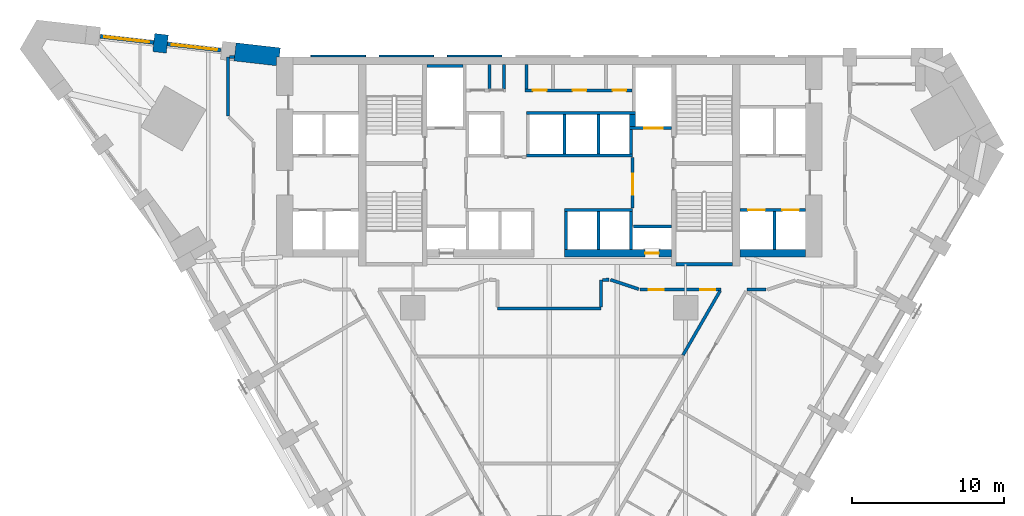
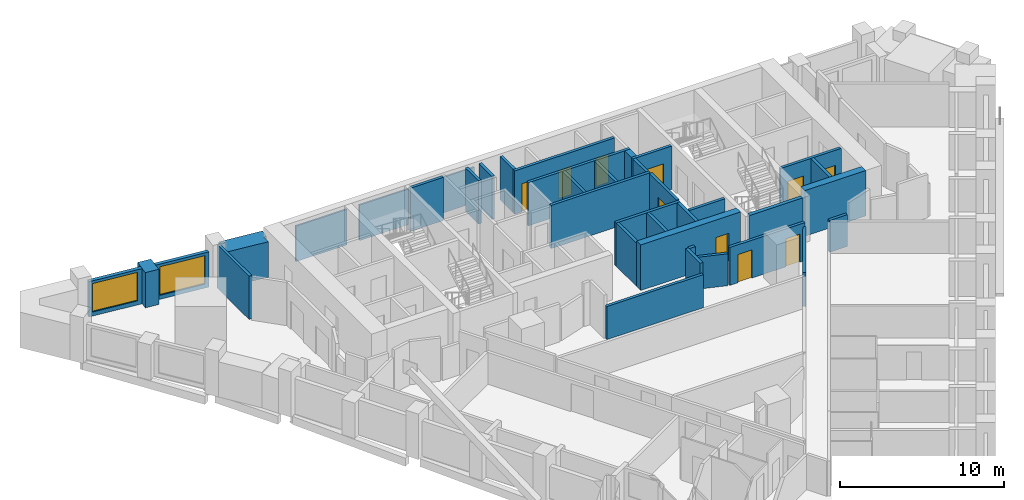
# One storey, part 7 of 10: 39 walls, 10 doors, 2 windows, 12 openings.
"""IFC4 building model written with IfcOpenShell, lengths in metres."""

from ifc_helpers import new_model, si_unit, direction, frame, frame_2d, origin, place, context, subcontext, project, spatial, polyline, rectangle, outline, extrude, material, layer, layer_set, type_object, element, fill, save


model = new_model("IFC4")

# Units and contexts
model_context = context("Model", 3, precision=1e-05, world=origin(), true_north=direction((0.0, 1.0)))
body_context = subcontext(model_context, "Body", "Model", "MODEL_VIEW")
ifc_project = project(units=[si_unit("LENGTHUNIT", "METRE"), si_unit("AREAUNIT", "SQUARE_METRE"), si_unit("VOLUMEUNIT", "CUBIC_METRE"), si_unit("PLANEANGLEUNIT", "RADIAN"), si_unit("MASSUNIT", "GRAM", prefix="KILO")], contexts=[model_context])

# Site, building, storey
site_placement = place(None, origin())
site = spatial("IfcSite", under=ifc_project, at=site_placement, CompositionType="ELEMENT")
building_placement = place(site_placement, origin())
building = spatial("IfcBuilding", under=site, at=building_placement, Name="Calabash Gate Tower", CompositionType="ELEMENT")
storey_placement = place(building_placement, frame((0.0, 0.0, 66.39990234375)))
storey = spatial("IfcBuildingStorey", under=building, at=storey_placement, Name="L12", CompositionType="ELEMENT", Elevation=66.39990234375)

# Walls
ifc_material_1 = material(Name="Terracotta brick masonry, exposed face", Category="masonry")
ifc_layer_1 = layer(ifc_material_1, 1.199951171875)
ifc_layer_set_1 = layer_set([ifc_layer_1], Name="Brick end wall 1200")
wall_type_1 = type_object("IfcWallType", Name="Brick end wall 1200", PredefinedType="SOLIDWALL", material=ifc_layer_set_1)
wall_1_placement = place(storey_placement, frame((-25.712890625, 19.35400390625, 0.0), z_axis=(0.0, 0.0, 1.0), x_axis=(0.113735952551, 0.993511013073, 0.0)))
element("IfcWall", 1, at=wall_1_placement, inside=storey, type_object=wall_type_1, Name="Brick pier S03 wedge5.1", PredefinedType="SOLIDWALL", context=body_context, shape_type="SweptSolid", body=[
    extrude(rectangle(XDim=1.199951171875, YDim=0.89990234375, at=frame_2d((0.60009765625, 0.0))), origin(), (0.0, 0.0, 1.0), 2.630126953125),
])
wall_2_placement = place(storey_placement, origin())
element("IfcWall", 2, at=wall_2_placement, inside=storey, type_object=wall_type_1, Name="Brick end wall S03 1", PredefinedType="SOLIDWALL", context=body_context, shape_type="SweptSolid", body=[
    extrude(outline(polyline([(-20.658447265625, 19.983154296875), (-20.794921875, 18.790771484375), (-18.0, 18.470703125), (-18.0, 19.052490234375), (-17.806640625, 19.052490234375), (-17.738525390625, 19.648681640625), (-20.658447265625, 19.983154296875)])), origin(), (0.0, 0.0, 1.0), 2.650146484375),
])
ifc_material_2 = material(Name="Gypsum board on steel studs, mineral wool", Category="steel")
ifc_layer_2 = layer(ifc_material_2, 0.199951171875)
ifc_layer_set_2 = layer_set([ifc_layer_2], Name="Core partition 200 gypsum board")
wall_type_2 = type_object("IfcWallType", Name="Core partition 200 gypsum board", PredefinedType="PARTITIONING", material=ifc_layer_set_2)
for number, where, z_axis, x_axis, name in (
    (3, (-3.949951171875, 16.95263671875, 0.0), (0.0, 0.0, 1.0), (0.0, 1.0, 0.0), "Core partition"),
    (4, (-3.0, 16.95263671875, 0.0), (0.0, 0.0, 1.0), (0.0, 1.0, 0.0), "Core partition"),
    (5, (-1.5, 16.95263671875, 0.0), (0.0, 0.0, 1.0), (0.0, 1.0, 0.0), "Core partition"),
):
    element("IfcWall", number, at=place(storey_placement, frame(where, z_axis=z_axis, x_axis=x_axis)), inside=storey, type_object=wall_type_2, Name=name, PredefinedType="PARTITIONING", context=body_context, shape_type="SweptSolid", body=[
        extrude(rectangle(XDim=1.599853515625, YDim=0.199951171875, at=frame_2d((0.7998046875, 0.0))), origin(), (0.0, 0.0, 1.0), 3.22998046875),
    ])
ifc_material_3 = material(Name="Concrete C80/95", Category="concrete")
ifc_layer_3 = layer(ifc_material_3, 0.25)
ifc_layer_set_3 = layer_set([ifc_layer_3], Name="Core wall 250 Concrete C80/95")
wall_type_3 = type_object("IfcWallType", Name="Core wall 250 Concrete C80/95", PredefinedType="SHEAR", material=ifc_layer_set_3)
wall_3_placement = place(storey_placement, frame((8.35009765625, 5.377685546875, 0.0), z_axis=(0.0, 0.0, 1.0), x_axis=(1.0, 0.0, 0.0)))
element("IfcWall", 6, at=wall_3_placement, inside=storey, type_object=wall_type_3, Name="Core wall Z1-SSE L12", PredefinedType="SHEAR", context=body_context, shape_type="SweptSolid", body=[
    extrude(rectangle(XDim=3.75, YDim=0.25, at=frame_2d((1.875, 0.0))), origin(), (0.0, 0.0, 1.0), 3.400146484375),
])

# Wall, opening, door
ifc_material_4 = material(Name="Concrete C80/95", Category="concrete")
ifc_layer_4 = layer(ifc_material_4, 0.5)
ifc_layer_set_4 = layer_set([ifc_layer_4], Name="Core wall 500 Concrete C80/95")
wall_type_4 = type_object("IfcWallType", Name="Core wall 500 Concrete C80/95", PredefinedType="SHEAR", material=ifc_layer_set_4)
wall_4_placement = place(storey_placement, frame((1.0, 6.1025390625, 0.0), z_axis=(0.0, 0.0, 1.0), x_axis=(1.0, 0.0, 0.0)))
wall_4 = element("IfcWall", 7, at=wall_4_placement, inside=storey, type_object=wall_type_4, Name="Core wall Z1-SB L12", PredefinedType="SHEAR", context=body_context, shape_type="SweptSolid", body=[
    extrude(rectangle(XDim=7.050048828125, YDim=0.5, at=frame_2d((3.52490234375, 0.0))), origin(), (0.0, 0.0, 1.0), 3.400146484375),
])
opening_1_placement = place(wall_4_placement, frame((5.324951171875, 0.0, 0.0)))
opening_1 = element("IfcOpeningElement", 8, at=opening_1_placement, cuts=wall_4, Name="Opening H3-013", PredefinedType="OPENING", context=body_context, shape_type="SweptSolid", body=[
    extrude(rectangle(XDim=0.89990234375, YDim=2.10009765625, at=frame_2d((0.449951171875, 1.050048828125))), frame((0.0, 0.260009765625, 0.0), z_axis=(0.0, -1.0, 0.0), x_axis=(1.0, 0.0, 0.0)), (0.0, 0.0, 1.0), 0.52001953125),
])
ifc_material_5 = material(Name="Steel fire door set with fire-resisting glazing", Category="steel")
door_type_1 = type_object("IfcDoorType", Name="Fire door D07 900x2100 FD90", OperationType="NOTDEFINED", PredefinedType="DOOR", material=ifc_material_5)
door_1_placement = place(opening_1_placement, origin())
door_1 = element("IfcDoor", 9, at=door_1_placement, inside=storey, type_object=door_type_1, Name="Mechanical Riser E door", OperationType="SINGLE_SWING_RIGHT", OverallHeight=2.10009765625, OverallWidth=0.89990234375, PredefinedType="DOOR", context=body_context, shape_type="SweptSolid", body=[
    extrude(rectangle(XDim=0.89990234375, YDim=2.10009765625, at=frame_2d((0.449951171875, 1.050048828125))), frame((0.0, 0.02490234375, 0.0), z_axis=(0.0, -1.0, 0.0), x_axis=(1.0, 0.0, 0.0)), (0.0, 0.0, 1.0), 0.050048828125),
])
fill(opening_1, door_1)

# Walls
wall_5_placement = place(storey_placement, frame((12.60009765625, 6.1025390625, 0.0), z_axis=(0.0, 0.0, 1.0), x_axis=(1.0, 0.0, 0.0)))
element("IfcWall", 10, at=wall_5_placement, inside=storey, type_object=wall_type_4, Name="Core wall Z1-SE L12", PredefinedType="SHEAR", context=body_context, shape_type="SweptSolid", body=[
    extrude(rectangle(XDim=4.2998046875, YDim=0.5, at=frame_2d((2.14990234375, 0.0))), origin(), (0.0, 0.0, 1.0), 3.400146484375),
])
ifc_material_6 = material(Name="Gypsum board on steel studs, mineral wool", Category="steel")
ifc_layer_5 = layer(ifc_material_6, 0.199951171875)
ifc_layer_set_5 = layer_set([ifc_layer_5], Name="Partition 200 gypsum board EI 60")
wall_type_5 = type_object("IfcWallType", Name="Partition 200 gypsum board EI 60", PredefinedType="PARTITIONING", material=ifc_layer_set_5)
wall_6_placement = place(storey_placement, frame((8.824462890625, -0.616943359375, 0.0), z_axis=(0.0, 0.0, 1.0), x_axis=(0.500271769931, 0.865868440475, 0.0)))
element("IfcWall", 11, at=wall_6_placement, inside=storey, type_object=wall_type_5, Name="Partition", PredefinedType="PARTITIONING", context=body_context, shape_type="SweptSolid", body=[
    extrude(rectangle(XDim=4.885498046875, YDim=0.199951171875, at=frame_2d((2.44287109375, 0.0))), origin(), (0.0, 0.0, 1.0), 2.552001953125),
])
wall_7_placement = place(storey_placement, frame((-3.400146484375, 2.452392578125, 0.0), z_axis=(0.0, 0.0, 1.0), x_axis=(1.0, 0.0, 0.0)))
element("IfcWall", 12, at=wall_7_placement, inside=storey, type_object=wall_type_5, Name="Partition", PredefinedType="PARTITIONING", context=body_context, shape_type="SweptSolid", body=[
    extrude(rectangle(XDim=6.800048828125, YDim=0.199951171875, at=frame_2d((3.39990234375, 0.0))), origin(), (0.0, 0.0, 1.0), 2.4736328125),
])

# Wall, openings, doors
wall_8_placement = place(storey_placement, frame((6.0, 3.69970703125, 0.0), z_axis=(0.0, 0.0, 1.0), x_axis=(1.0, 0.0, 0.0)))
wall_8 = element("IfcWall", 13, at=wall_8_placement, inside=storey, type_object=wall_type_5, Name="Partition", PredefinedType="PARTITIONING", context=body_context, shape_type="SweptSolid", body=[
    extrude(rectangle(XDim=5.318603515625, YDim=0.199951171875, at=frame_2d((2.6591796875, 0.0))), origin(), (0.0, 0.0, 1.0), 2.831787109375),
])
opening_2_placement = place(wall_8_placement, frame((0.563720703125, 0.0, 0.0)))
opening_2 = element("IfcOpeningElement", 14, at=opening_2_placement, cuts=wall_8, Name="Opening 12-14-010", PredefinedType="OPENING", context=body_context, shape_type="SweptSolid", body=[
    extrude(rectangle(XDim=1.0, YDim=2.10009765625, at=frame_2d((0.5, 1.050048828125))), frame((0.0, 0.10986328125, 0.0), z_axis=(0.0, -1.0, 0.0), x_axis=(1.0, 0.0, 0.0)), (0.0, 0.0, 1.0), 0.219970703125),
])
opening_3_placement = place(wall_8_placement, frame((3.949951171875, 0.0, 0.0)))
opening_3 = element("IfcOpeningElement", 15, at=opening_3_placement, cuts=wall_8, Name="Opening 12-14-025", PredefinedType="OPENING", context=body_context, shape_type="SweptSolid", body=[
    extrude(rectangle(XDim=1.0, YDim=2.10009765625, at=frame_2d((0.5, 1.050048828125))), frame((0.0, 0.10986328125, 0.0), z_axis=(0.0, -1.0, 0.0), x_axis=(1.0, 0.0, 0.0)), (0.0, 0.0, 1.0), 0.219970703125),
])
ifc_material_7 = material(Name="Steel fire door set with fire-resisting glazing", Category="steel")
door_type_2 = type_object("IfcDoorType", Name="LD2 Meeting room door 1000x2100", OperationType="NOTDEFINED", PredefinedType="DOOR", material=ifc_material_7)
door_2_placement = place(opening_2_placement, origin())
door_2 = element("IfcDoor", 16, at=door_2_placement, inside=storey, type_object=door_type_2, Name="Meeting room door", OperationType="SINGLE_SWING_RIGHT", OverallHeight=2.10009765625, OverallWidth=1.0, PredefinedType="DOOR", context=body_context, shape_type="SweptSolid", body=[
    extrude(rectangle(XDim=1.0, YDim=2.10009765625, at=frame_2d((0.5, 1.050048828125))), frame((0.0, 0.02490234375, 0.0), z_axis=(0.0, -1.0, 0.0), x_axis=(1.0, 0.0, 0.0)), (0.0, 0.0, 1.0), 0.050048828125),
])
fill(opening_2, door_2)
door_3_placement = place(opening_3_placement, origin())
door_3 = element("IfcDoor", 17, at=door_3_placement, inside=storey, type_object=door_type_2, Name="Meeting room door", OperationType="SINGLE_SWING_LEFT", OverallHeight=2.10009765625, OverallWidth=1.0, PredefinedType="DOOR", context=body_context, shape_type="SweptSolid", body=[
    extrude(rectangle(XDim=1.0, YDim=2.10009765625, at=frame_2d((0.5, 1.050048828125))), frame((0.0, 0.02490234375, 0.0), z_axis=(0.0, -1.0, 0.0), x_axis=(1.0, 0.0, 0.0)), (0.0, 0.0, 1.0), 0.050048828125),
])
fill(opening_3, door_3)

# Walls
wall_9_placement = place(storey_placement, frame((13.051513671875, 3.699462890625, 0.0), z_axis=(0.0, 0.0, 1.0), x_axis=(1.0, 0.0, 0.0)))
element("IfcWall", 18, at=wall_9_placement, inside=storey, type_object=wall_type_5, Name="Partition", PredefinedType="PARTITIONING", context=body_context, shape_type="SweptSolid", body=[
    extrude(rectangle(XDim=1.24853515625, YDim=0.199951171875, at=frame_2d((0.624267578125, 0.0))), origin(), (0.0, 0.0, 1.0), 2.38427734375),
])
wall_10_placement = place(storey_placement, frame((4.042236328125, 4.352294921875, 0.0), z_axis=(0.0, 0.0, 1.0), x_axis=(0.948695731075, -0.316190464499, 0.0)))
element("IfcWall", 19, at=wall_10_placement, inside=storey, type_object=wall_type_5, Name="Partition", PredefinedType="PARTITIONING", context=body_context, shape_type="SweptSolid", body=[
    extrude(rectangle(XDim=1.963623046875, YDim=0.199951171875, at=frame_2d((0.98193359375, 0.0))), origin(), (0.0, 0.0, 1.0), 2.38427734375),
])
wall_11_placement = place(storey_placement, frame((3.400146484375, 2.552490234375, 0.0), z_axis=(0.0, 0.0, 1.0), x_axis=(0.001086217961, 0.999999410065, 0.0)))
element("IfcWall", 20, at=wall_11_placement, inside=storey, type_object=wall_type_5, Name="Partition", PredefinedType="PARTITIONING", context=body_context, shape_type="SweptSolid", body=[
    extrude(rectangle(XDim=1.798095703125, YDim=0.199951171875, at=frame_2d((0.89892578125, 0.0))), origin(), (0.0, 0.0, 1.0), 3.22998046875),
])
wall_12_placement = place(storey_placement, frame((3.501953125, 4.350830078125, 0.0), z_axis=(0.0, 0.0, 1.0), x_axis=(0.999996159087, 0.00277160798, 0.0)))
element("IfcWall", 21, at=wall_12_placement, inside=storey, type_object=wall_type_5, Name="Partition", PredefinedType="PARTITIONING", context=body_context, shape_type="SweptSolid", body=[
    extrude(rectangle(XDim=0.4404296875, YDim=0.199951171875, at=frame_2d((0.22021484375, 0.0))), origin(), (0.0, 0.0, 1.0), 3.22998046875),
])
wall_13_placement = place(storey_placement, frame((-21.185791015625, 15.152587890625, 0.0), z_axis=(0.0, 0.0, 1.0), x_axis=(6.2601728e-05, 0.999999998041, 0.0)))
element("IfcWall", 22, at=wall_13_placement, inside=storey, type_object=wall_type_5, Name="Partition", PredefinedType="PARTITIONING", context=body_context, shape_type="SweptSolid", body=[
    extrude(rectangle(XDim=3.89990234375, YDim=0.199951171875, at=frame_2d((1.949951171875, 0.0))), origin(), (0.0, 0.0, 1.0), 3.22998046875),
])
wall_14_placement = place(storey_placement, frame((-21.08544921875, 19.052490234375, 0.0), z_axis=(0.0, 0.0, 1.0), x_axis=(0.999999709972, 0.000761614402, 0.0)))
element("IfcWall", 23, at=wall_14_placement, inside=storey, type_object=wall_type_5, Name="Partition", PredefinedType="PARTITIONING", context=body_context, shape_type="SweptSolid", body=[
    extrude(rectangle(XDim=0.320556640625, YDim=0.199951171875, at=frame_2d((0.16015625, 0.0))), origin(), (0.0, 0.0, 1.0), 3.22998046875),
])

# Wall, opening, window
ifc_material_8 = material(Name="Aluminium framed window wall with insulated spandrel", Category="aluminium")
ifc_layer_6 = layer(ifc_material_8, 0.25)
ifc_layer_set_6 = layer_set([ifc_layer_6], Name="Prow window wall 250")
wall_type_6 = type_object("IfcWallType", Name="Prow window wall 250", PredefinedType="ELEMENTEDWALL", material=ifc_layer_set_6)
wall_15_placement = place(storey_placement, frame((-21.670654296875, 19.4951171875, 0.0), z_axis=(0.0, 0.0, 1.0), x_axis=(-0.993508501237, 0.113757891902, 0.0)))
wall_15 = element("IfcWall", 24, at=wall_15_placement, inside=storey, type_object=wall_type_6, Name="Prow window wall S03 wedge5.1", PredefinedType="ELEMENTEDWALL", context=body_context, shape_type="SweptSolid", body=[
    extrude(rectangle(XDim=3.5517578125, YDim=0.25, at=frame_2d((1.77587890625, 0.0))), origin(), (0.0, 0.0, 1.0), 2.630126953125),
])
opening_4_placement = place(wall_15_placement, frame((0.25, 0.0, 0.300048828125)))
opening_4 = element("IfcOpeningElement", 25, at=opening_4_placement, cuts=wall_15, Name="Opening WP1L-2130", PredefinedType="OPENING", context=body_context, shape_type="SweptSolid", body=[
    extrude(rectangle(XDim=3.0, YDim=2.1298828125, at=frame_2d((1.5, 1.06494140625))), frame((0.0, 0.135009765625, 0.0), z_axis=(0.0, -1.0, 0.0), x_axis=(1.0, 0.0, 0.0)), (0.0, 0.0, 1.0), 0.27001953125),
])
ifc_material_9 = material(Name="Anodised aluminium frame, bronze finish, impact-rated laminated clear glazing", Category="aluminium")
window_type = type_object("IfcWindowType", Name="Window WP1L 3000x2130", PartitioningType="DOUBLE_PANEL_VERTICAL", PredefinedType="WINDOW", material=ifc_material_9)
window_1_placement = place(opening_4_placement, origin())
window_1 = element("IfcWindow", 26, at=window_1_placement, inside=storey, type_object=window_type, Name="Prow window WP1L S03 wedge5.1", OverallHeight=2.1298828125, OverallWidth=3.0, PartitioningType="SINGLE_PANEL", PredefinedType="WINDOW", context=body_context, shape_type="SweptSolid", body=[
    extrude(rectangle(XDim=3.0, YDim=2.1298828125, at=frame_2d((1.5, 1.06494140625))), frame((0.0, 0.030029296875, 0.0), z_axis=(0.0, -1.0, 0.0), x_axis=(1.0, 0.0, 0.0)), (0.0, 0.0, 1.0), 0.06005859375),
])
fill(opening_4, window_1)

wall_16_placement = place(storey_placement, frame((-26.089599609375, 20.001220703125, 0.0), z_axis=(0.0, 0.0, 1.0), x_axis=(-0.993509390647, 0.113750123938, 0.0)))
wall_16 = element("IfcWall", 27, at=wall_16_placement, inside=storey, type_object=wall_type_6, Name="Prow window wall S03 wedge5.2", PredefinedType="ELEMENTEDWALL", context=body_context, shape_type="SweptSolid", body=[
    extrude(rectangle(XDim=3.552001953125, YDim=0.25, at=frame_2d((1.77587890625, 0.0))), origin(), (0.0, 0.0, 1.0), 2.630126953125),
])
opening_5_placement = place(wall_16_placement, frame((0.302001953125, 0.0, 0.300048828125)))
opening_5 = element("IfcOpeningElement", 28, at=opening_5_placement, cuts=wall_16, Name="Opening WP1L-2130", PredefinedType="OPENING", context=body_context, shape_type="SweptSolid", body=[
    extrude(rectangle(XDim=3.0, YDim=2.1298828125, at=frame_2d((1.5, 1.06494140625))), frame((0.0, 0.135009765625, 0.0), z_axis=(0.0, -1.0, 0.0), x_axis=(1.0, 0.0, 0.0)), (0.0, 0.0, 1.0), 0.27001953125),
])
window_2_placement = place(opening_5_placement, origin())
window_2 = element("IfcWindow", 29, at=window_2_placement, inside=storey, type_object=window_type, Name="Prow window WP1L S03 wedge5.2", OverallHeight=2.1298828125, OverallWidth=3.0, PartitioningType="SINGLE_PANEL", PredefinedType="WINDOW", context=body_context, shape_type="SweptSolid", body=[
    extrude(rectangle(XDim=3.0, YDim=2.1298828125, at=frame_2d((1.5, 1.06494140625))), frame((0.0, 0.030029296875, 0.0), z_axis=(0.0, -1.0, 0.0), x_axis=(1.0, 0.0, 0.0)), (0.0, 0.0, 1.0), 0.06005859375),
])
fill(opening_5, window_2)

# Walls
ifc_material_10 = material(Name="Concrete C40/50", Category="concrete")
ifc_layer_7 = layer(ifc_material_10, 0.199951171875)
ifc_layer_set_7 = layer_set([ifc_layer_7], Name="Shaft wall 200 Concrete C40/50")
wall_type_7 = type_object("IfcWallType", Name="Shaft wall 200 Concrete C40/50", PredefinedType="SOLIDWALL", material=ifc_layer_set_7)
for number, where, z_axis, x_axis, name in (
    (30, (1.10009765625, 6.3525390625, 0.0), (0.0, 0.0, 1.0), (0.0, 1.0, 0.0), "Shaft wall"),
    (31, (3.25, 6.3525390625, 0.0), (0.0, 0.0, 1.0), (0.0, 1.0, 0.0), "Shaft wall"),
    (32, (5.39990234375, 6.3525390625, 0.0), (0.0, 0.0, 1.0), (0.0, 1.0, 0.0), "Shaft wall"),
    (33, (14.85009765625, 6.3525390625, 0.0), (0.0, 0.0, 1.0), (0.0, 1.0, 0.0), "Shaft wall"),
    (34, (5.550048828125, 7.8525390625, 0.0), (0.0, 0.0, 1.0), (1.0, 0.0, 0.0), "Shaft wall"),
):
    element("IfcWall", number, at=place(storey_placement, frame(where, z_axis=z_axis, x_axis=x_axis)), inside=storey, type_object=wall_type_7, Name=name, PredefinedType="SOLIDWALL", context=body_context, shape_type="SweptSolid", body=[
        extrude(rectangle(XDim=2.5, YDim=0.199951171875, at=frame_2d((1.25, 0.0))), origin(), (0.0, 0.0, 1.0), 3.22998046875),
    ])
wall_17_placement = place(storey_placement, frame((1.0, 8.95263671875, 0.0), z_axis=(0.0, 0.0, 1.0), x_axis=(1.0, 0.0, 0.0)))
element("IfcWall", 35, at=wall_17_placement, inside=storey, type_object=wall_type_7, Name="Shaft wall", PredefinedType="SOLIDWALL", context=body_context, shape_type="SweptSolid", body=[
    extrude(rectangle(XDim=4.5, YDim=0.199951171875, at=frame_2d((2.25, 0.0))), origin(), (0.0, 0.0, 1.0), 3.22998046875),
])

# Wall, openings, doors
wall_18_placement = place(storey_placement, frame((12.60009765625, 8.95263671875, 0.0), z_axis=(0.0, 0.0, 1.0), x_axis=(1.0, 0.0, 0.0)))
wall_18 = element("IfcWall", 36, at=wall_18_placement, inside=storey, type_object=wall_type_7, Name="Shaft wall", PredefinedType="SOLIDWALL", context=body_context, shape_type="SweptSolid", body=[
    extrude(rectangle(XDim=4.2998046875, YDim=0.199951171875, at=frame_2d((2.14990234375, 0.0))), origin(), (0.0, 0.0, 1.0), 3.22998046875),
])
opening_6_placement = place(wall_18_placement, frame((0.52490234375, 0.0, 0.0)))
opening_6 = element("IfcOpeningElement", 37, at=opening_6_placement, cuts=wall_18, Name="Opening LD-LR5", PredefinedType="OPENING", context=body_context, shape_type="SweptSolid", body=[
    extrude(rectangle(XDim=1.10009765625, YDim=2.10009765625, at=frame_2d((0.550048828125, 1.050048828125))), frame((0.0, 0.10986328125, 0.0), z_axis=(0.0, -1.0, 0.0), x_axis=(1.0, 0.0, 0.0)), (0.0, 0.0, 1.0), 0.219970703125),
])
opening_7_placement = place(wall_18_placement, frame((2.77490234375, 0.0, 0.0)))
opening_7 = element("IfcOpeningElement", 38, at=opening_7_placement, cuts=wall_18, Name="Opening LD-LR6", PredefinedType="OPENING", context=body_context, shape_type="SweptSolid", body=[
    extrude(rectangle(XDim=1.10009765625, YDim=2.10009765625, at=frame_2d((0.550048828125, 1.050048828125))), frame((0.0, 0.10986328125, 0.0), z_axis=(0.0, -1.0, 0.0), x_axis=(1.0, 0.0, 0.0)), (0.0, 0.0, 1.0), 0.219970703125),
])
ifc_material_11 = material(Name="Stainless steel sliding door leaves", Category="steel")
door_type_3 = type_object("IfcDoorType", Name="Lift landing door LS1 1100x2100 FD90", OperationType="DOUBLE_DOOR_SLIDING", PredefinedType="DOOR", material=ifc_material_11)
door_4_placement = place(opening_6_placement, origin())
door_4 = element("IfcDoor", 39, at=door_4_placement, inside=storey, type_object=door_type_3, Name="Lift landing door LR5", OperationType="DOUBLE_DOOR_SLIDING", OverallHeight=2.10009765625, OverallWidth=1.10009765625, PredefinedType="DOOR", context=body_context, shape_type="SweptSolid", body=[
    extrude(rectangle(XDim=1.10009765625, YDim=2.10009765625, at=frame_2d((0.550048828125, 1.050048828125))), frame((0.0, 0.02490234375, 0.0), z_axis=(0.0, -1.0, 0.0), x_axis=(1.0, 0.0, 0.0)), (0.0, 0.0, 1.0), 0.050048828125),
])
fill(opening_6, door_4)
door_5_placement = place(opening_7_placement, origin())
door_5 = element("IfcDoor", 40, at=door_5_placement, inside=storey, type_object=door_type_3, Name="Lift landing door LR6", OperationType="DOUBLE_DOOR_SLIDING", OverallHeight=2.10009765625, OverallWidth=1.10009765625, PredefinedType="DOOR", context=body_context, shape_type="SweptSolid", body=[
    extrude(rectangle(XDim=1.10009765625, YDim=2.10009765625, at=frame_2d((0.550048828125, 1.050048828125))), frame((0.0, 0.02490234375, 0.0), z_axis=(0.0, -1.0, 0.0), x_axis=(1.0, 0.0, 0.0)), (0.0, 0.0, 1.0), 0.050048828125),
])
fill(opening_7, door_5)

# Wall, opening, door
wall_19_placement = place(storey_placement, frame((5.5, 9.1025390625, 0.0), z_axis=(0.0, 0.0, 1.0), x_axis=(0.0, 1.0, 0.0)))
wall_19 = element("IfcWall", 41, at=wall_19_placement, inside=storey, type_object=wall_type_7, Name="Shaft wall", PredefinedType="SOLIDWALL", context=body_context, shape_type="SweptSolid", body=[
    extrude(rectangle(XDim=3.300048828125, YDim=0.199951171875, at=frame_2d((1.64990234375, 0.0))), origin(), (0.0, 0.0, 1.0), 3.22998046875),
])
opening_8_placement = place(wall_19_placement, frame((0.85009765625, 0.0, 0.0)))
opening_8 = element("IfcOpeningElement", 42, at=opening_8_placement, cuts=wall_19, Name="Opening H3-006", PredefinedType="OPENING", context=body_context, shape_type="SweptSolid", body=[
    extrude(rectangle(XDim=1.39990234375, YDim=2.10009765625, at=frame_2d((0.699951171875, 1.050048828125))), frame((0.0, 0.10986328125, 0.0), z_axis=(0.0, -1.0, 0.0), x_axis=(1.0, 0.0, 0.0)), (0.0, 0.0, 1.0), 0.219970703125),
])
ifc_material_12 = material(Name="Steel fire door set with fire-resisting glazing", Category="steel")
door_type_4 = type_object("IfcDoorType", Name="Fire door D05 1400x2100 FD90", OperationType="NOTDEFINED", PredefinedType="DOOR", material=ifc_material_12)
door_6_placement = place(opening_8_placement, origin())
door_6 = element("IfcDoor", 43, at=door_6_placement, inside=storey, type_object=door_type_4, Name="Firefighting Lobby E door", OperationType="SINGLE_SWING_LEFT", OverallHeight=2.10009765625, OverallWidth=1.39990234375, PredefinedType="DOOR", context=body_context, shape_type="SweptSolid", body=[
    extrude(rectangle(XDim=1.39990234375, YDim=2.10009765625, at=frame_2d((0.699951171875, 1.050048828125))), frame((0.0, 0.02490234375, 0.0), z_axis=(0.0, -1.0, 0.0), x_axis=(1.0, 0.0, 0.0)), (0.0, 0.0, 1.0), 0.050048828125),
])
fill(opening_8, door_6)

# Walls
wall_20_placement = place(storey_placement, frame((-1.5, 12.552490234375, 0.0), z_axis=(0.0, 0.0, 1.0), x_axis=(1.0, 0.0, 0.0)))
element("IfcWall", 44, at=wall_20_placement, inside=storey, type_object=wall_type_7, Name="Shaft wall", PredefinedType="SOLIDWALL", context=body_context, shape_type="SweptSolid", body=[
    extrude(rectangle(XDim=7.0, YDim=0.199951171875, at=frame_2d((3.5, 0.0))), origin(), (0.0, 0.0, 1.0), 3.22998046875),
])
for number, where, z_axis, x_axis, name in (
    (45, (1.0, 12.652587890625, 0.0), (0.0, 0.0, 1.0), (0.0, 1.0, 0.0), "Shaft wall"),
    (46, (3.25, 12.652587890625, 0.0), (0.0, 0.0, 1.0), (0.0, 1.0, 0.0), "Shaft wall"),
):
    element("IfcWall", number, at=place(storey_placement, frame(where, z_axis=z_axis, x_axis=x_axis)), inside=storey, type_object=wall_type_7, Name=name, PredefinedType="SOLIDWALL", context=body_context, shape_type="SweptSolid", body=[
        extrude(rectangle(XDim=2.60009765625, YDim=0.199951171875, at=frame_2d((1.300048828125, 0.0))), origin(), (0.0, 0.0, 1.0), 3.22998046875),
    ])
wall_21_placement = place(storey_placement, frame((5.39990234375, 12.652587890625, 0.0), z_axis=(0.0, 0.0, 1.0), x_axis=(0.0, 1.0, 0.0)))
element("IfcWall", 47, at=wall_21_placement, inside=storey, type_object=wall_type_7, Name="Shaft wall", PredefinedType="SOLIDWALL", context=body_context, shape_type="SweptSolid", body=[
    extrude(rectangle(XDim=1.60009765625, YDim=0.199951171875, at=frame_2d((0.800048828125, 0.0))), origin(), (0.0, 0.0, 1.0), 3.22998046875),
])

# Wall, opening, door
wall_22_placement = place(storey_placement, frame((5.300048828125, 14.3525390625, 0.0), z_axis=(0.0, 0.0, 1.0), x_axis=(1.0, 0.0, 0.0)))
wall_22 = element("IfcWall", 48, at=wall_22_placement, inside=storey, type_object=wall_type_7, Name="Shaft wall", PredefinedType="SOLIDWALL", context=body_context, shape_type="SweptSolid", body=[
    extrude(rectangle(XDim=2.75, YDim=0.199951171875, at=frame_2d((1.375, 0.0))), origin(), (0.0, 0.0, 1.0), 3.22998046875),
])
opening_9_placement = place(wall_22_placement, frame((0.97509765625, 0.0, 0.0)))
opening_9 = element("IfcOpeningElement", 49, at=opening_9_placement, cuts=wall_22, Name="Opening LD-FF2", PredefinedType="OPENING", context=body_context, shape_type="SweptSolid", body=[
    extrude(rectangle(XDim=1.199951171875, YDim=2.10009765625, at=frame_2d((0.60009765625, 1.050048828125))), frame((0.0, 0.10986328125, 0.0), z_axis=(0.0, -1.0, 0.0), x_axis=(1.0, 0.0, 0.0)), (0.0, 0.0, 1.0), 0.219970703125),
])
ifc_material_13 = material(Name="Stainless steel sliding door leaves", Category="steel")
door_type_5 = type_object("IfcDoorType", Name="Lift landing door LS3 1200x2100 FD90", OperationType="DOUBLE_DOOR_SLIDING", PredefinedType="DOOR", material=ifc_material_13)
door_7_placement = place(opening_9_placement, origin())
door_7 = element("IfcDoor", 50, at=door_7_placement, inside=storey, type_object=door_type_5, Name="Lift landing door FF2", OperationType="DOUBLE_DOOR_SLIDING", OverallHeight=2.10009765625, OverallWidth=1.199951171875, PredefinedType="DOOR", context=body_context, shape_type="SweptSolid", body=[
    extrude(rectangle(XDim=1.199951171875, YDim=2.10009765625, at=frame_2d((0.60009765625, 1.050048828125))), frame((0.0, 0.02490234375, 0.0), z_axis=(0.0, -1.0, 0.0), x_axis=(1.0, 0.0, 0.0)), (0.0, 0.0, 1.0), 0.050048828125),
])
fill(opening_9, door_7)

# Walls
wall_23_placement = place(storey_placement, frame((5.5, 14.45263671875, 0.0), z_axis=(0.0, 0.0, 1.0), x_axis=(0.0, 1.0, 0.0)))
element("IfcWall", 51, at=wall_23_placement, inside=storey, type_object=wall_type_7, Name="Shaft wall", PredefinedType="SOLIDWALL", context=body_context, shape_type="SweptSolid", body=[
    extrude(rectangle(XDim=0.800048828125, YDim=0.39990234375, at=frame_2d((0.39990234375, 0.0))), origin(), (0.0, 0.0, 1.0), 3.22998046875),
])
wall_24_placement = place(storey_placement, frame((-1.5, 15.3525390625, 0.0), z_axis=(0.0, 0.0, 1.0), x_axis=(1.0, 0.0, 0.0)))
element("IfcWall", 52, at=wall_24_placement, inside=storey, type_object=wall_type_7, Name="Shaft wall", PredefinedType="SOLIDWALL", context=body_context, shape_type="SweptSolid", body=[
    extrude(rectangle(XDim=7.199951171875, YDim=0.199951171875, at=frame_2d((3.60009765625, 0.0))), origin(), (0.0, 0.0, 1.0), 3.22998046875),
])

# Wall, openings, doors
wall_25_placement = place(storey_placement, frame((-1.60009765625, 16.8525390625, 0.0), z_axis=(0.0, 0.0, 1.0), x_axis=(1.0, 0.0, 0.0)))
wall_25 = element("IfcWall", 53, at=wall_25_placement, inside=storey, type_object=wall_type_7, Name="Shaft wall", PredefinedType="SOLIDWALL", context=body_context, shape_type="SweptSolid", body=[
    extrude(rectangle(XDim=7.050048828125, YDim=0.199951171875, at=frame_2d((3.52490234375, 0.0))), origin(), (0.0, 0.0, 1.0), 3.22998046875),
])
opening_10_placement = place(wall_25_placement, frame((0.52490234375, 0.0, 0.0)))
opening_10 = element("IfcOpeningElement", 54, at=opening_10_placement, cuts=wall_25, Name="Opening H3-010", PredefinedType="OPENING", context=body_context, shape_type="SweptSolid", body=[
    extrude(rectangle(XDim=0.89990234375, YDim=2.10009765625, at=frame_2d((0.449951171875, 1.050048828125))), frame((0.0, 0.10986328125, 0.0), z_axis=(0.0, -1.0, 0.0), x_axis=(1.0, 0.0, 0.0)), (0.0, 0.0, 1.0), 0.219970703125),
])
opening_11_placement = place(wall_25_placement, frame((3.14990234375, 0.0, 0.0)))
opening_11 = element("IfcOpeningElement", 55, at=opening_11_placement, cuts=wall_25, Name="Opening H3-011", PredefinedType="OPENING", context=body_context, shape_type="SweptSolid", body=[
    extrude(rectangle(XDim=0.89990234375, YDim=2.10009765625, at=frame_2d((0.449951171875, 1.050048828125))), frame((0.0, 0.10986328125, 0.0), z_axis=(0.0, -1.0, 0.0), x_axis=(1.0, 0.0, 0.0)), (0.0, 0.0, 1.0), 0.219970703125),
])
opening_12_placement = place(wall_25_placement, frame((5.77490234375, 0.0, 0.0)))
opening_12 = element("IfcOpeningElement", 56, at=opening_12_placement, cuts=wall_25, Name="Opening H3-012", PredefinedType="OPENING", context=body_context, shape_type="SweptSolid", body=[
    extrude(rectangle(XDim=0.89990234375, YDim=2.10009765625, at=frame_2d((0.449951171875, 1.050048828125))), frame((0.0, 0.10986328125, 0.0), z_axis=(0.0, -1.0, 0.0), x_axis=(1.0, 0.0, 0.0)), (0.0, 0.0, 1.0), 0.219970703125),
])
ifc_material_14 = material(Name="Steel fire door set with fire-resisting glazing", Category="steel")
door_type_6 = type_object("IfcDoorType", Name="Fire door D06 900x2100 FD60", OperationType="NOTDEFINED", PredefinedType="DOOR", material=ifc_material_14)
door_8_placement = place(opening_10_placement, origin())
door_8 = element("IfcDoor", 57, at=door_8_placement, inside=storey, type_object=door_type_6, Name="Hotel Pantry door", OperationType="SINGLE_SWING_LEFT", OverallHeight=2.10009765625, OverallWidth=0.89990234375, PredefinedType="DOOR", context=body_context, shape_type="SweptSolid", body=[
    extrude(rectangle(XDim=0.89990234375, YDim=2.10009765625, at=frame_2d((0.449951171875, 1.050048828125))), frame((0.0, 0.02490234375, 0.0), z_axis=(0.0, -1.0, 0.0), x_axis=(1.0, 0.0, 0.0)), (0.0, 0.0, 1.0), 0.050048828125),
])
fill(opening_10, door_8)
door_9_placement = place(opening_11_placement, origin())
door_9 = element("IfcDoor", 58, at=door_9_placement, inside=storey, type_object=door_type_6, Name="Luggage Store door", OperationType="SINGLE_SWING_LEFT", OverallHeight=2.10009765625, OverallWidth=0.89990234375, PredefinedType="DOOR", context=body_context, shape_type="SweptSolid", body=[
    extrude(rectangle(XDim=0.89990234375, YDim=2.10009765625, at=frame_2d((0.449951171875, 1.050048828125))), frame((0.0, 0.02490234375, 0.0), z_axis=(0.0, -1.0, 0.0), x_axis=(1.0, 0.0, 0.0)), (0.0, 0.0, 1.0), 0.050048828125),
])
fill(opening_11, door_9)
door_10_placement = place(opening_12_placement, origin())
door_10 = element("IfcDoor", 59, at=door_10_placement, inside=storey, type_object=door_type_6, Name="Comms Room door", OperationType="SINGLE_SWING_RIGHT", OverallHeight=2.10009765625, OverallWidth=0.89990234375, PredefinedType="DOOR", context=body_context, shape_type="SweptSolid", body=[
    extrude(rectangle(XDim=0.89990234375, YDim=2.10009765625, at=frame_2d((0.449951171875, 1.050048828125))), frame((0.0, 0.02490234375, 0.0), z_axis=(0.0, -1.0, 0.0), x_axis=(1.0, 0.0, 0.0)), (0.0, 0.0, 1.0), 0.050048828125),
])
fill(opening_12, door_10)

# Walls
wall_26_placement = place(storey_placement, frame((-8.050048828125, 18.45263671875, 0.0), z_axis=(0.0, 0.0, 1.0), x_axis=(1.0, 0.0, 0.0)))
element("IfcWall", 60, at=wall_26_placement, inside=storey, type_object=wall_type_7, Name="Shaft wall", PredefinedType="SOLIDWALL", context=body_context, shape_type="SweptSolid", body=[
    extrude(rectangle(XDim=2.35009765625, YDim=0.199951171875, at=frame_2d((1.175048828125, 0.0))), origin(), (0.0, 0.0, 1.0), 3.22998046875),
])
ifc_material_15 = material(Name="Terracotta brick masonry, perforated", Category="masonry")
ifc_layer_8 = layer(ifc_material_15, 0.1201171875)
ifc_layer_set_8 = layer_set([ifc_layer_8], Name="Terracotta jaali cladding A 120")
wall_type_8 = type_object("IfcWallType", Name="Terracotta jaali cladding A 120", PredefinedType="SOLIDWALL", material=ifc_layer_set_8)
wall_27_placement = place(storey_placement, origin())
element("IfcWall", 61, at=wall_27_placement, inside=storey, type_object=wall_type_8, Name="Jaali cladding S03 N4.7", PredefinedType="SOLIDWALL", context=body_context, shape_type="SweptSolid", body=[
    extrude(outline(polyline([(-6.72216796875, 19.172607421875), (-6.72216796875, 19.052490234375), (-3.1220703125, 19.052490234375), (-3.1220703125, 19.172607421875), (-6.72216796875, 19.172607421875)])), origin(), (0.0, 0.0, 1.0), 2.650146484375),
])
wall_28_placement = place(storey_placement, origin())
element("IfcWall", 62, at=wall_28_placement, inside=storey, type_object=wall_type_8, Name="Jaali cladding S03 N4.9", PredefinedType="SOLIDWALL", context=body_context, shape_type="SweptSolid", body=[
    extrude(outline(polyline([(-15.72216796875, 19.172607421875), (-15.72216796875, 19.052490234375), (-12.1220703125, 19.052490234375), (-12.1220703125, 19.172607421875), (-15.72216796875, 19.172607421875)])), origin(), (0.0, 0.0, 1.0), 2.650146484375),
])
ifc_material_16 = material(Name="Terracotta louvre blades in an aluminium frame", Category="masonry")
ifc_layer_9 = layer(ifc_material_16, 0.1201171875)
ifc_layer_set_9 = layer_set([ifc_layer_9], Name="Terracotta vent louvre cladding 120")
wall_type_9 = type_object("IfcWallType", Name="Terracotta vent louvre cladding 120", PredefinedType="ELEMENTEDWALL", material=ifc_layer_set_9)
wall_29_placement = place(storey_placement, origin())
element("IfcWall", 63, at=wall_29_placement, inside=storey, type_object=wall_type_9, Name="Vent louvre cladding S03 N4.8", PredefinedType="ELEMENTEDWALL", context=body_context, shape_type="SweptSolid", body=[
    extrude(outline(polyline([(-11.22216796875, 19.172607421875), (-11.22216796875, 19.052490234375), (-7.6220703125, 19.052490234375), (-7.6220703125, 19.172607421875), (-11.22216796875, 19.172607421875)])), origin(), (0.0, 0.0, 1.0), 2.650146484375),
])

save(model, "model.ifc")
